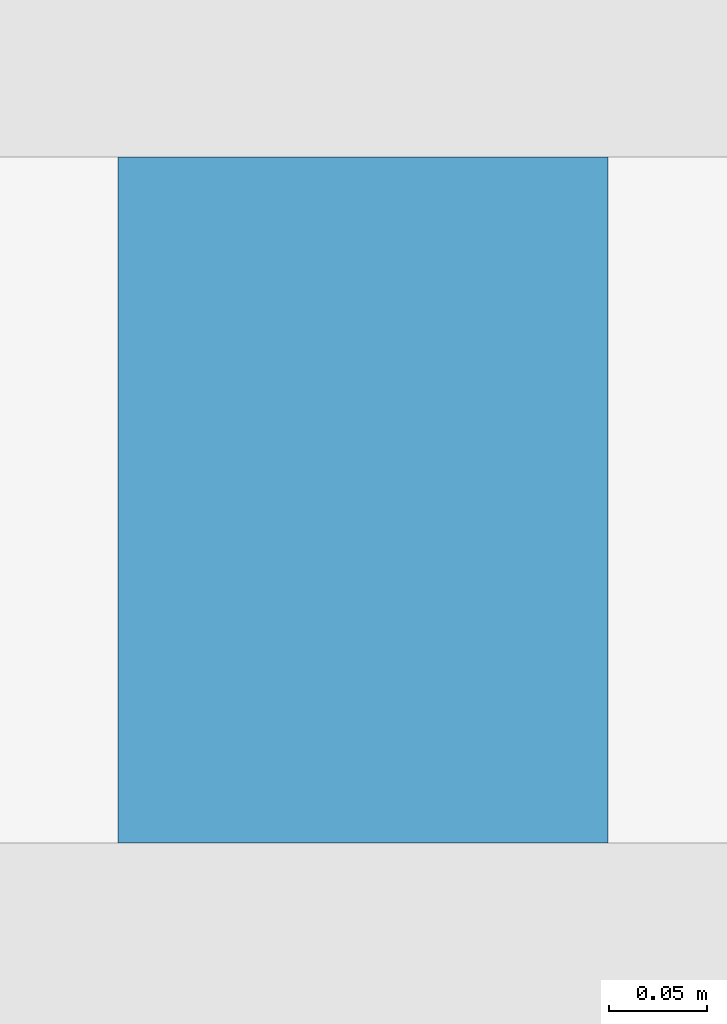
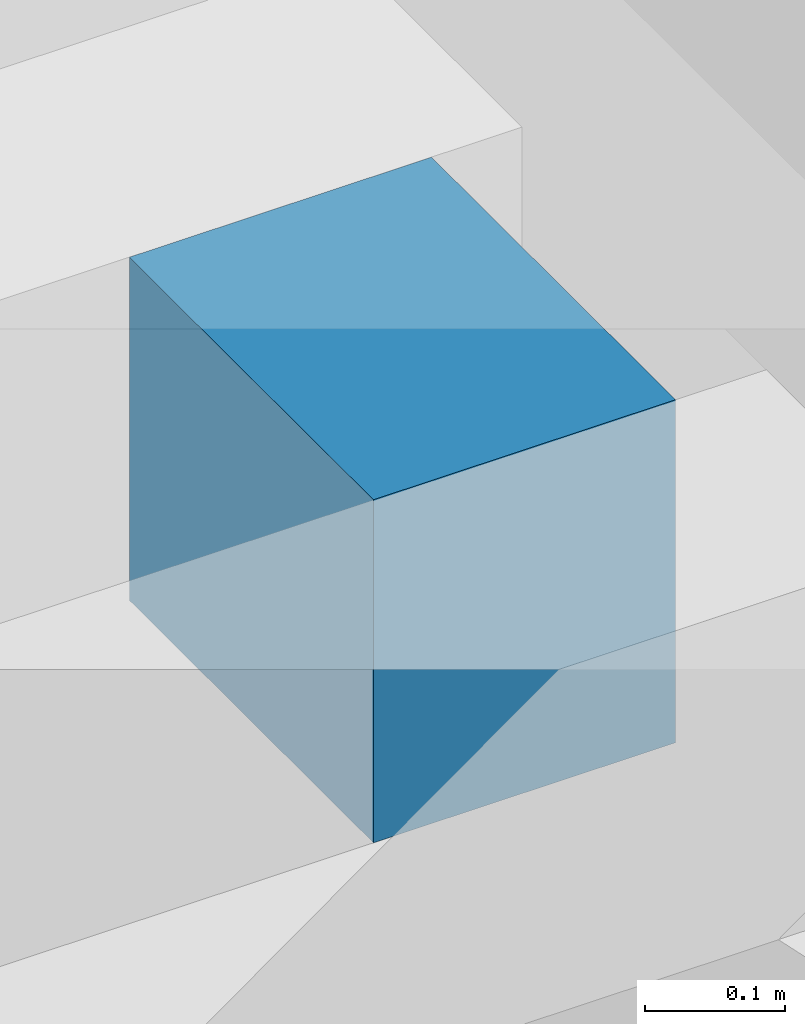
# One storey, part 18 of 48: 1 beam.
"""IFC4 building model written with IfcOpenShell, lengths in metres."""

import ifcopenshell
import ifcopenshell.guid

model = None  # the IFC model being written
_history = None  # IfcOwnerHistory: only IFC2X3 demands one
_inside = {}  # id of a spatial element -> (the spatial element, [elements in it])
_under = {}  # id of a project, library or spatial element -> (it, [spatial elements below it])
_declared = {}  # id of a project -> (the project, [libraries it declares])
_typed = {}  # id of a type object -> (the type object, [elements of that type])
_made_of = {}  # id of a material, layer set ... -> (it, [elements and type objects made of it])


def new_model(schema):
    """Start an empty IFC model of exactly this schema.

    Asked for "IFC4X3", IfcOpenShell would pick the latest addendum, in which some entities
    have other attributes; the version numbers below select the first issue.
    IFC2X3 requires an IfcOwnerHistory on every rooted entity: one is made here for all.
    """
    global model, _history
    if schema == "IFC4X3":
        model = ifcopenshell.file(schema_version=(4, 3, 0, 0))
    else:
        model = ifcopenshell.file(schema=schema)
    _inside.clear()
    _under.clear()
    _declared.clear()
    _typed.clear()
    _made_of.clear()
    _history = None
    if model.schema == "IFC2X3":
        org = make("IfcOrganization", Name="unknown")
        user = make(
            "IfcPersonAndOrganization",
            ThePerson=make("IfcPerson", FamilyName="unknown"),
            TheOrganization=org,
        )
        app = make(
            "IfcApplication",
            ApplicationDeveloper=org,
            Version="unknown",
            ApplicationFullName="unknown",
            ApplicationIdentifier="unknown",
        )
        _history = make(
            "IfcOwnerHistory",
            OwningUser=user,
            OwningApplication=app,
            ChangeAction="ADDED",
            CreationDate=0,
        )
    return model


def make(cls, **values):
    """One entity of the class cls with the attributes given. An attribute that is None is left unset."""
    return model.create_entity(
        cls, **{name: value for name, value in values.items() if value is not None}
    )


def rooted(cls, **values):
    """An entity with a GlobalId (a new one), such as an element, a storey or a relation."""
    return make(cls, GlobalId=ifcopenshell.guid.new(), OwnerHistory=_history, **values)


def si_unit(unit_type, name, prefix=None):
    """IfcSIUnit, for example si_unit("LENGTHUNIT", "METRE", prefix="MILLI")."""
    return make("IfcSIUnit", UnitType=unit_type, Prefix=prefix, Name=name)


def assignment(units):
    """IfcUnitAssignment: the units of a project."""
    return None if units is None else make("IfcUnitAssignment", Units=units)


def point(xyz):
    """IfcCartesianPoint."""
    return None if xyz is None else make("IfcCartesianPoint", Coordinates=xyz)


def direction(xyz):
    """IfcDirection."""
    return None if xyz is None else make("IfcDirection", DirectionRatios=xyz)


def frame(location, z_axis=None, x_axis=None):
    """IfcAxis2Placement3D, a coordinate frame: its origin and axes. An axis left out is left unset."""
    return make(
        "IfcAxis2Placement3D",
        Location=point(location),
        Axis=direction(z_axis),
        RefDirection=direction(x_axis),
    )


def frame_2d(location, x_axis=None):
    """IfcAxis2Placement2D, a coordinate frame in the plane: its origin and x axis."""
    return make(
        "IfcAxis2Placement2D", Location=point(location), RefDirection=direction(x_axis)
    )


def origin():
    """The frame at (0, 0, 0) with its axes left unset."""
    return frame((0.0, 0.0, 0.0))


def origin_2d():
    """The frame at (0, 0) in the plane with its x axis left unset."""
    return frame_2d((0.0, 0.0))


def place(relative_to, where):
    """IfcLocalPlacement: puts the frame where relative to a parent placement (None: the world)."""
    return make(
        "IfcLocalPlacement", PlacementRelTo=relative_to, RelativePlacement=where
    )


def context(
    kind, dimensions, precision=None, world=None, true_north=None, identifier=None
):
    """IfcGeometricRepresentationContext, for example the 3D "Model" context."""
    return make(
        "IfcGeometricRepresentationContext",
        ContextIdentifier=identifier,
        ContextType=kind,
        CoordinateSpaceDimension=dimensions,
        Precision=precision,
        WorldCoordinateSystem=world,
        TrueNorth=true_north,
    )


def subcontext(parent, identifier, kind, view, scale=None):
    """IfcGeometricRepresentationSubContext, for example "Body" below "Model"."""
    return make(
        "IfcGeometricRepresentationSubContext",
        ContextIdentifier=identifier,
        ContextType=kind,
        ParentContext=parent,
        TargetScale=scale,
        TargetView=view,
    )


def project(units=None, contexts=None):
    """IfcProject with its units and contexts."""
    return rooted(
        "IfcProject",
        Name="project",
        RepresentationContexts=contexts,
        UnitsInContext=assignment(units),
    )


def spatial(cls, under=None, at=None, **own):
    """A site, building, storey or space (cls), placed at a placement, below another one or the project."""
    s = rooted(cls, ObjectPlacement=at, **own)
    if under is not None:
        _under.setdefault(under.id(), (under, []))[1].append(s)
    return s


def profile(cls, at=None, kind="AREA", **sizes):
    """A parametric profile (cls). Its sizes go by their IFC names, for example OverallWidth=200.0."""
    return make(cls, ProfileType=kind, Position=at, **sizes)


def rectangle(**sizes):
    """IfcRectangleProfileDef."""
    return profile("IfcRectangleProfileDef", **sizes)


def extrude(swept, where, along, depth):
    """IfcExtrudedAreaSolid: the profile swept, set in the frame where, extruded along a direction by depth."""
    return make(
        "IfcExtrudedAreaSolid",
        SweptArea=swept,
        Position=where,
        ExtrudedDirection=direction(along),
        Depth=depth,
    )


def shape(context_of_items, identifier, shape_type, items):
    """IfcShapeRepresentation: the items that make up one representation, for example the "Body"."""
    return make(
        "IfcShapeRepresentation",
        ContextOfItems=context_of_items,
        RepresentationIdentifier=identifier,
        RepresentationType=shape_type,
        Items=items,
    )


def material(Name=None, Category=None):
    """IfcMaterial."""
    return make("IfcMaterial", Name=Name, Category=Category)


def material_profile(
    of_material, cross_section, Name=None, Category=None, Priority=None
):
    """IfcMaterialProfile: a cross section and its material."""
    return make(
        "IfcMaterialProfile",
        Name=Name,
        Material=of_material,
        Profile=cross_section,
        Priority=Priority,
        Category=Category,
    )


def profile_set(profiles, Name=None, composite=None):
    """IfcMaterialProfileSet."""
    return make(
        "IfcMaterialProfileSet",
        Name=Name,
        MaterialProfiles=profiles,
        CompositeProfile=composite,
    )


def made_of(thing, what):
    """Note that an element or type object is made of a material, layer set ...; save() writes the relation."""
    if what is not None:
        _made_of.setdefault(what.id(), (what, []))[1].append(thing)
    return thing


def type_object(cls, material=None, **own):
    """A type object (cls), such as IfcWallType, which elements share."""
    return made_of(rooted(cls, **own), material)


def element(
    cls,
    number,
    at=None,
    inside=None,
    cuts=None,
    type_object=None,
    material=None,
    context=None,
    identifier="Body",
    shape_type=None,
    held_by="IfcProductDefinitionShape",
    body=None,
    shapes=None,
    **own,
):
    """One element of the class cls, such as IfcWall. Its Tag is "e" and its number.

    at: its placement. inside: the storey or other place that contains it. cuts: it is an
    opening in that element (IfcRelVoidsElement). A single representation is given by context,
    identifier, shape_type and body (its items); several are given by shapes. held_by: the class
    of the entity that holds the representations. save() writes the other relations.
    """
    e = rooted(cls, Tag="e%d" % number, ObjectPlacement=at, **own)
    if body is not None:
        shapes = [shape(context, identifier, shape_type, body)]
    if shapes is not None:
        e.Representation = make(held_by, Representations=shapes)
    if inside is not None:
        _inside.setdefault(inside.id(), (inside, []))[1].append(e)
    if cuts is not None:
        rooted(
            "IfcRelVoidsElement", RelatingBuildingElement=cuts, RelatedOpeningElement=e
        )
    if type_object is not None:
        _typed.setdefault(type_object.id(), (type_object, []))[1].append(e)
    return made_of(e, material)


def aggregate(whole, parts):
    """IfcRelAggregates: a whole, such as a stair, and the parts it consists of."""
    return rooted("IfcRelAggregates", RelatingObject=whole, RelatedObjects=parts)


def save(model, path):
    """Write the relations noted so far, then the file.

    IfcRelAggregates (storeys below a building ...), IfcRelContainedInSpatialStructure (elements
    in a storey), IfcRelDefinesByType, IfcRelAssociatesMaterial and IfcRelDeclares: one each for
    every whole, place, type object, material and project.
    """
    for whole, parts in _under.values():
        aggregate(whole, parts)
    for where, things in _inside.values():
        rooted(
            "IfcRelContainedInSpatialStructure",
            RelatedElements=things,
            RelatingStructure=where,
        )
    for kind, things in _typed.values():
        rooted("IfcRelDefinesByType", RelatedObjects=things, RelatingType=kind)
    for what, things in _made_of.values():
        rooted("IfcRelAssociatesMaterial", RelatedObjects=things, RelatingMaterial=what)
    for by, libraries in _declared.values():
        rooted("IfcRelDeclares", RelatingContext=by, RelatedDefinitions=libraries)
    model.write(path)


model = new_model("IFC4")

# Units and contexts
model_context = context("Model", 3, precision=1e-05, world=origin(), true_north=direction((0.0, 1.0)))
body_context = subcontext(model_context, "Body", "Model", "MODEL_VIEW")
ifc_project = project(units=[si_unit("LENGTHUNIT", "METRE"), si_unit("AREAUNIT", "SQUARE_METRE"), si_unit("VOLUMEUNIT", "CUBIC_METRE"), si_unit("PLANEANGLEUNIT", "RADIAN"), si_unit("MASSUNIT", "GRAM", prefix="KILO")], contexts=[model_context])

# Site, building, storey
site_placement = place(None, origin())
site = spatial("IfcSite", under=ifc_project, at=site_placement, CompositionType="ELEMENT")
building_placement = place(site_placement, origin())
building = spatial("IfcBuilding", under=site, at=building_placement, Name="Ogive Gate Towers", CompositionType="ELEMENT")
storey_placement = place(building_placement, origin())
storey = spatial("IfcBuildingStorey", under=building, at=storey_placement, Name="L00", CompositionType="ELEMENT", Elevation=0.0)

# Beam
ifc_material = material(Name="Concrete C40/50", Category="concrete")
ifc_material_profile = material_profile(ifc_material, rectangle(XDim=0.25, YDim=0.300048828125, at=origin_2d()), Name="RC 250x300")
ifc_profile_set = profile_set([ifc_material_profile], Name="Concrete C40/50")
beam_type = type_object("IfcBeamType", Name="Landing bearer RC 250x300 (stair)", PredefinedType="BEAM", material=ifc_profile_set)
beam_placement = place(storey_placement, frame((-56.75, 16.695068359375, 3.25), z_axis=(0.0, 1.0, 0.0), x_axis=(-1.0, 0.0, 0.0)))
element("IfcBeam", 1, at=beam_placement, inside=storey, type_object=beam_type, Name="PS1 L00 landing 1 bearer 3", PredefinedType="BEAM", context=body_context, shape_type="SweptSolid", body=[
    extrude(rectangle(XDim=0.25, YDim=0.300048828125, at=origin_2d()), origin(), (0.0, 0.0, 1.0), 0.349853515625),
])

save(model, "model.ifc")
